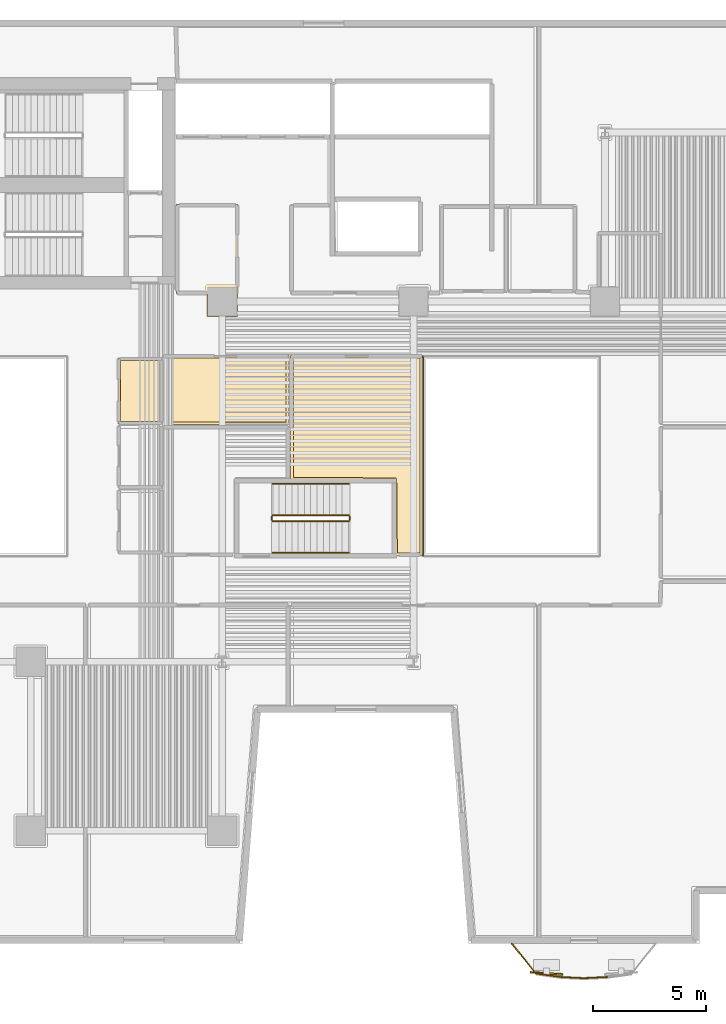
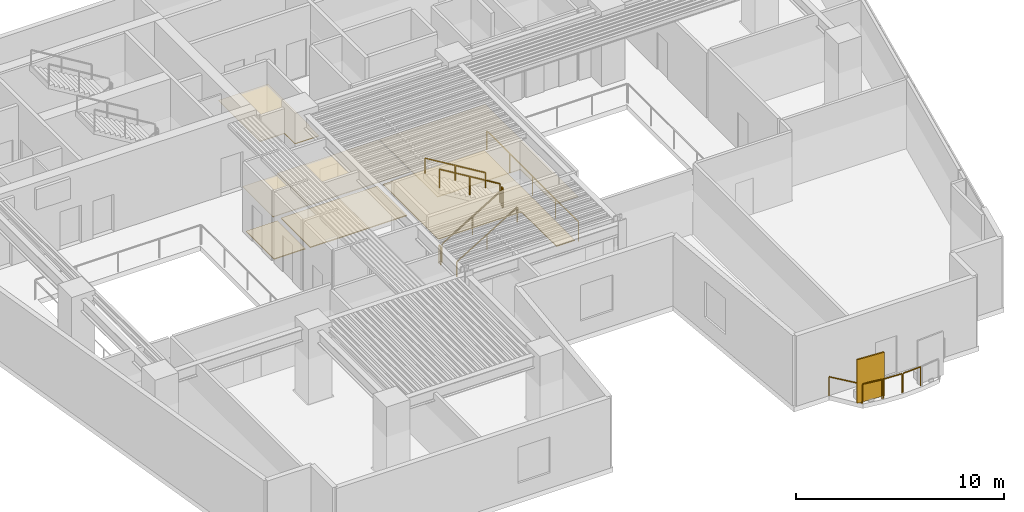
# One storey, part 9 of 12: 11 railings, 7 coverings, 1 shading device.
"""IFC4 building model written with IfcOpenShell, lengths in metres."""

from ifc_helpers import new_model, si_unit, direction, frame, origin, origin_2d, place, context, subcontext, project, spatial, polyline, rectangle, outline, extrude, material, layer, layer_set, type_object, element, save


model = new_model("IFC4")

# Units and contexts
model_context = context("Model", 3, precision=1e-05, world=origin(), true_north=direction((0.0, 1.0)))
body_context = subcontext(model_context, "Body", "Model", "MODEL_VIEW")
ifc_project = project(units=[si_unit("LENGTHUNIT", "METRE"), si_unit("AREAUNIT", "SQUARE_METRE"), si_unit("VOLUMEUNIT", "CUBIC_METRE"), si_unit("PLANEANGLEUNIT", "RADIAN"), si_unit("MASSUNIT", "GRAM", prefix="KILO")], contexts=[model_context])

# Site, building, storey
site_placement = place(None, origin())
site = spatial("IfcSite", under=ifc_project, at=site_placement, CompositionType="ELEMENT")
building_placement = place(site_placement, origin())
building = spatial("IfcBuilding", under=site, at=building_placement, Name="Caeloran Harvest Quay", CompositionType="ELEMENT")
storey_placement = place(building_placement, frame((0.0, 0.0, 84.199951171875)))
storey = spatial("IfcBuildingStorey", under=building, at=storey_placement, Name="L19", CompositionType="ELEMENT", Elevation=84.199951171875)

# Coverings
ifc_material_1 = material(Name="Perforated Mineral-Fibre Acoustic Ceiling Tile", Category="ceiling")
ifc_layer_1 = layer(ifc_material_1, 0.0400390625, Name="Perforated Mineral-Fibre Acoustic Ceiling Tile")
ifc_layer_set_1 = layer_set([ifc_layer_1], Name="Perforated Mineral-Fibre Acoustic Ceiling Tile")
covering_type_1 = type_object("IfcCoveringType", Name="COV-CEILING-ACOUSTIC", PredefinedType="CEILING", material=ifc_layer_set_1)
covering_1_placement = place(storey_placement, frame((0.0, 0.0, 2.60009765625)))
element("IfcCovering", 1, at=covering_1_placement, inside=storey, type_object=covering_type_1, Name="L19 Male Washroom WC Acoustic Ceiling", PredefinedType="CEILING", context=body_context, shape_type="SweptSolid", body=[
    extrude(outline(polyline([(22.840087890625, 25.56005859375), (20.8701171875, 25.56005859375), (20.8701171875, 28.489990234375), (22.840087890625, 28.489990234375), (22.840087890625, 25.56005859375)])), origin(), (0.0, 0.0, 1.0), 0.0400390625),
])
covering_2_placement = place(storey_placement, frame((0.0, 0.0, 2.60009765625)))
element("IfcCovering", 2, at=covering_2_placement, inside=storey, type_object=covering_type_1, Name="Culinary Harvest Tasting Kitchen 8 Acoustic Ceiling", PredefinedType="CEILING", context=body_context, shape_type="SweptSolid", body=[
    extrude(outline(polyline([(28.5400390625, 28.610107421875), (34.409912109375, 28.610107421875), (34.409912109375, 19.7099609375), (33.160400390625, 19.7099609375), (33.13037109375, 23.06005859375), (28.5400390625, 23.06005859375), (28.5400390625, 28.610107421875)])), origin(), (0.0, 0.0, 1.0), 0.0400390625),
])
covering_3_placement = place(storey_placement, frame((0.0, 0.0, 2.60009765625)))
element("IfcCovering", 3, at=covering_3_placement, inside=storey, type_object=covering_type_1, Name="Botanical Workshop Studio 9 Acoustic Ceiling", PredefinedType="CEILING", context=body_context, shape_type="SweptSolid", body=[
    extrude(outline(polyline([(22.8701171875, 28.512939453125), (22.85009765625, 28.52001953125), (22.85009765625, 28.610107421875), (28.4599609375, 28.610107421875), (28.4599609375, 25.5400390625), (22.8701171875, 25.5400390625), (22.8701171875, 28.512939453125)])), origin(), (0.0, 0.0, 1.0), 0.0400390625),
])
covering_4_placement = place(storey_placement, frame((0.0, 0.0, 2.60009765625)))
element("IfcCovering", 4, at=covering_4_placement, inside=storey, type_object=covering_type_1, Name="Sensory Fermentation Kitchen 10 Acoustic Ceiling", PredefinedType="CEILING", context=body_context, shape_type="SweptSolid", body=[
    extrude(outline(polyline([(26.169921875, 30.330078125), (24.830078125, 30.330078125), (24.830078125, 31.340087890625), (23.469970703125, 31.340087890625), (23.469970703125, 35.32861328125), (23.521728515625, 35.31005859375), (26.2099609375, 35.31005859375), (26.2099609375, 31.340087890625), (26.169921875, 31.340087890625), (26.169921875, 30.330078125)])), origin(), (0.0, 0.0, 1.0), 0.0400390625),
])
ifc_material_2 = material(Name="Calcium-Sulphate Raised Access Floor and Terrazzo Finish", Category="flooring")
ifc_layer_2 = layer(ifc_material_2, 0.050048828125, Name="Calcium-Sulphate Raised Access Floor and Terrazzo Finish")
ifc_layer_set_2 = layer_set([ifc_layer_2], Name="Calcium-Sulphate Raised Access Floor and Terrazzo Finish")
covering_type_2 = type_object("IfcCoveringType", Name="COV-FLOOR-RAISED", PredefinedType="FLOORING", material=ifc_layer_set_2)
covering_5_placement = place(storey_placement, origin())
element("IfcCovering", 5, at=covering_5_placement, inside=storey, type_object=covering_type_2, Name="L19 Male Washroom WC Raised Finish Flooring", PredefinedType="FLOORING", context=body_context, shape_type="SweptSolid", body=[
    extrude(outline(polyline([(22.719970703125, 25.679931640625), (20.989990234375, 25.679931640625), (20.989990234375, 28.3701171875), (22.719970703125, 28.3701171875), (22.719970703125, 25.679931640625)])), origin(), (0.0, 0.0, 1.0), 0.050048828125),
])
covering_6_placement = place(storey_placement, origin())
element("IfcCovering", 6, at=covering_6_placement, inside=storey, type_object=covering_type_2, Name="Culinary Harvest Tasting Kitchen 8 Raised Finish Flooring", PredefinedType="FLOORING", context=body_context, shape_type="SweptSolid", body=[
    extrude(outline(polyline([(28.659912109375, 28.489990234375), (34.2900390625, 28.489990234375), (34.2900390625, 19.830078125), (33.279296875, 19.830078125), (33.25, 23.1005859375), (33.20751953125, 23.170654296875), (28.659912109375, 23.179931640625), (28.659912109375, 28.489990234375)])), origin(), (0.0, 0.0, 1.0), 0.050048828125),
])
covering_7_placement = place(storey_placement, origin())
element("IfcCovering", 7, at=covering_7_placement, inside=storey, type_object=covering_type_2, Name="Botanical Workshop Studio 9 Raised Finish Flooring", PredefinedType="FLOORING", context=body_context, shape_type="SweptSolid", body=[
    extrude(outline(polyline([(22.989990234375, 28.489990234375), (28.340087890625, 28.489990234375), (28.340087890625, 25.659912109375), (22.989990234375, 25.659912109375), (22.989990234375, 28.489990234375)])), origin(), (0.0, 0.0, 1.0), 0.050048828125),
])

# Railings
ifc_material_3 = material(Name="Powder-Coated Steel Post and Laminated Glass Guardrail", Category="steel")
ifc_layer_3 = layer(ifc_material_3, 0.06005859375, Name="Powder-Coated Steel Post and Laminated Glass Guardrail")
ifc_layer_set_3 = layer_set([ifc_layer_3], Name="Powder-Coated Steel Post and Laminated Glass Guardrail")
railing_type_1 = type_object("IfcRailingType", Name="GUARD-ATRIUM-1150", PredefinedType="GUARDRAIL", material=ifc_layer_set_3)
railing_1_placement = place(storey_placement, frame((34.429931640625, 28.5380859375, 0.0)))
element("IfcRailing", 8, at=railing_1_placement, inside=storey, type_object=railing_type_1, Name="L19 East Botanical Lightwell Guardrail Seg 4", PredefinedType="GUARDRAIL", context=body_context, shape_type="SweptSolid", body=[
    extrude(rectangle(XDim=0.048095703125, YDim=0.048095703125, at=origin_2d()), frame((0.0, 0.0, 1.1259765625), z_axis=(0.0, -1.0, 0.0), x_axis=(1.0, 0.0, 0.0)), (0.0, 0.0, 1.0), 8.826171875),
    extrude(rectangle(XDim=0.0419921875, YDim=0.0419921875, at=origin_2d()), origin(), (0.0, 0.0, 1.0), 1.101806640625),
    extrude(rectangle(XDim=0.0419921875, YDim=0.0419921875, at=origin_2d()), frame((0.0, -2.20654296875, 0.0)), (0.0, 0.0, 1.0), 1.101806640625),
    extrude(rectangle(XDim=0.0419921875, YDim=0.0419921875, at=origin_2d()), frame((0.0, -4.4130859375, 0.0)), (0.0, 0.0, 1.0), 1.101806640625),
    extrude(rectangle(XDim=0.0419921875, YDim=0.0419921875, at=origin_2d()), frame((0.0, -6.61962890625, 0.0)), (0.0, 0.0, 1.0), 1.101806640625),
    extrude(rectangle(XDim=0.0419921875, YDim=0.0419921875, at=origin_2d()), frame((0.0, -8.826171875, 0.0)), (0.0, 0.0, 1.0), 1.101806640625),
])
ifc_material_4 = material(Name="Laminated Safety Glass and Stainless Steel 316", Category="steel")
ifc_layer_4 = layer(ifc_material_4, 0.06005859375, Name="Laminated Safety Glass and Stainless Steel 316")
ifc_layer_set_4 = layer_set([ifc_layer_4], Name="Laminated Safety Glass and Stainless Steel 316")
railing_type_2 = type_object("IfcRailingType", Name="GUARD-BALUSTRADE-1150", PredefinedType="BALUSTRADE", material=ifc_layer_set_4)
railing_2_placement = place(storey_placement, frame((42.5908203125, 1.00537109375, 0.0)))
element("IfcRailing", 9, at=railing_2_placement, inside=storey, type_object=railing_type_2, Name="L19 Planted Balcony Perimeter Balustrade Guard Seg 3", PredefinedType="BALUSTRADE", context=body_context, shape_type="SweptSolid", body=[
    extrude(rectangle(XDim=0.048095703125, YDim=0.048095703125, at=origin_2d()), frame((0.0, 0.0, 1.1259765625), z_axis=(-0.998613112064, -0.052648384722, 0.0), x_axis=(0.052648384722, -0.998613112064, 0.0)), (0.0, 0.0, 1.0), 1.001708984375),
    extrude(rectangle(XDim=0.0419921875, YDim=0.0419921875, at=origin_2d()), origin(), (0.0, 0.0, 1.0), 1.101806640625),
    extrude(rectangle(XDim=0.0419921875, YDim=0.0419921875, at=origin_2d()), frame((-1.000244140625, -0.052734375, 0.0)), (0.0, 0.0, 1.0), 1.101806640625),
])
railing_3_placement = place(storey_placement, frame((41.526611328125, 0.95263671875, 0.0)))
element("IfcRailing", 10, at=railing_3_placement, inside=storey, type_object=railing_type_2, Name="L19 Planted Balcony Perimeter Balustrade Guard Seg 4", PredefinedType="BALUSTRADE", context=body_context, shape_type="SweptSolid", body=[
    extrude(rectangle(XDim=0.048095703125, YDim=0.048095703125, at=origin_2d()), frame((0.0, 0.0, 1.1259765625), z_axis=(-0.998613112064, 0.052648384722, 0.0), x_axis=(-0.052648384722, -0.998613112064, 0.0)), (0.0, 0.0, 1.0), 1.001708984375),
    extrude(rectangle(XDim=0.0419921875, YDim=0.0419921875, at=origin_2d()), origin(), (0.0, 0.0, 1.0), 1.101806640625),
    extrude(rectangle(XDim=0.0419921875, YDim=0.0419921875, at=origin_2d()), frame((-1.000244140625, 0.052734375, 0.0)), (0.0, 0.0, 1.0), 1.101806640625),
])
railing_4_placement = place(storey_placement, frame((40.462646484375, 1.01171875, 0.0)))
element("IfcRailing", 11, at=railing_4_placement, inside=storey, type_object=railing_type_2, Name="L19 Planted Balcony Perimeter Balustrade Guard Seg 5", PredefinedType="BALUSTRADE", context=body_context, shape_type="SweptSolid", body=[
    extrude(rectangle(XDim=0.048095703125, YDim=0.048095703125, at=origin_2d()), frame((0.0, 0.0, 1.1259765625), z_axis=(-0.989765146773, 0.142705831116, 0.0), x_axis=(-0.142705831116, -0.989765146773, 0.0)), (0.0, 0.0, 1.0), 1.010986328125),
    extrude(rectangle(XDim=0.0419921875, YDim=0.0419921875, at=origin_2d()), origin(), (0.0, 0.0, 1.0), 1.101806640625),
    extrude(rectangle(XDim=0.0419921875, YDim=0.0419921875, at=origin_2d()), frame((-1.000732421875, 0.144287109375, 0.0)), (0.0, 0.0, 1.0), 1.101806640625),
])
railing_5_placement = place(storey_placement, frame((39.41015625, 1.185302734375, 0.0)))
element("IfcRailing", 12, at=railing_5_placement, inside=storey, type_object=railing_type_2, Name="L19 Planted Balcony Perimeter Balustrade Guard Seg 6", PredefinedType="BALUSTRADE", context=body_context, shape_type="SweptSolid", body=[
    extrude(rectangle(XDim=0.048095703125, YDim=0.048095703125, at=origin_2d()), frame((0.0, 0.0, 1.1259765625), z_axis=(-0.627786878651, 0.778385274137, 0.0), x_axis=(-0.778385274137, -0.627786878651, 0.0)), (0.0, 0.0, 1.0), 1.663330078125),
    extrude(rectangle(XDim=0.0419921875, YDim=0.0419921875, at=origin_2d()), origin(), (0.0, 0.0, 1.0), 1.101806640625),
    extrude(rectangle(XDim=0.0419921875, YDim=0.0419921875, at=origin_2d()), frame((-1.044189453125, 1.294677734375, 0.0)), (0.0, 0.0, 1.0), 1.101806640625),
])

# Shading device
ifc_material_5 = material(Name="3003-H14 Perforated Powder-Coated Aluminium", Category="aluminium")
shading_device_type = type_object("IfcShadingDeviceType", Name="SHADE-SCREEN-FOLDED", PredefinedType="USERDEFINED", material=ifc_material_5)
shading_device_placement = place(storey_placement, frame((39.8984375, 1.164794921875, 0.0751953125), z_axis=(0.0, 0.0, 1.0), x_axis=(0.997801468292, -0.0662739004, 0.0)))
element("IfcShadingDevice", 13, at=shading_device_placement, inside=storey, type_object=shading_device_type, Name="L19 Folded Facade Breathing Screen 2", ObjectType="SCREEN", PredefinedType="USERDEFINED", context=body_context, shape_type="SweptSolid", body=[
    extrude(rectangle(XDim=1.449951171875, YDim=0.080078125, at=origin_2d()), origin(), (0.0, 0.0, 1.0), 2.550048828125),
])

# Railings
ifc_material_6 = material(Name="Painted Steel Baluster and Top-Rail Stair Guard", Category="steel")
ifc_layer_5 = layer(ifc_material_6, 0.050048828125, Name="Painted Steel Baluster and Top-Rail Stair Guard")
ifc_layer_set_5 = layer_set([ifc_layer_5], Name="Painted Steel Baluster and Top-Rail Stair Guard")
railing_type_3 = type_object("IfcRailingType", Name="STAIR-GUARD-1100", PredefinedType="GUARDRAIL", material=ifc_layer_set_5)
railing_6_placement = place(storey_placement, frame((27.75, 21.25, 0.169189453125)))
element("IfcRailing", 14, at=railing_6_placement, inside=storey, type_object=railing_type_3, Name="L19 ST-W1 stair guard 1", PredefinedType="GUARDRAIL", context=body_context, shape_type="SweptSolid", body=[
    extrude(rectangle(XDim=0.048095703125, YDim=0.048095703125, at=origin_2d()), frame((0.0, 0.0, 1.076171875), z_axis=(0.855836976705, 0.0, 0.517245656632), x_axis=(0.0, 1.0, 0.0)), (0.0, 0.0, 1.0), 3.926025390625),
    extrude(rectangle(XDim=0.0419921875, YDim=0.0419921875, at=origin_2d()), origin(), (0.0, 0.0, 1.0), 1.052001953125),
    extrude(rectangle(XDim=0.0419921875, YDim=0.0419921875, at=origin_2d()), frame((1.68017578125, 0.0, 1.015380859375)), (0.0, 0.0, 1.0), 1.052001953125),
    extrude(rectangle(XDim=0.0419921875, YDim=0.0419921875, at=origin_2d()), frame((3.360107421875, 0.0, 2.03076171875)), (0.0, 0.0, 1.0), 1.052001953125),
])
railing_7_placement = place(storey_placement, frame((31.159912109375, 21.300048828125, 2.199951171875)))
element("IfcRailing", 15, at=railing_7_placement, inside=storey, type_object=railing_type_3, Name="L19 ST-W1 stair guard 2", PredefinedType="GUARDRAIL", context=body_context, shape_type="SweptSolid", body=[
    extrude(rectangle(XDim=0.048095703125, YDim=0.048095703125, at=origin_2d()), frame((0.0, 0.0, 1.076171875), z_axis=(0.0, 1.0, 0.0), x_axis=(-1.0, 0.0, 0.0)), (0.0, 0.0, 1.0), 0.14990234375),
    extrude(rectangle(XDim=0.0419921875, YDim=0.0419921875, at=origin_2d()), origin(), (0.0, 0.0, 1.0), 1.052001953125),
    extrude(rectangle(XDim=0.0419921875, YDim=0.0419921875, at=origin_2d()), frame((0.0, 0.14990234375, 0.0)), (0.0, 0.0, 1.0), 1.052001953125),
])
railing_8_placement = place(storey_placement, frame((31.110107421875, 21.5, 2.369384765625)))
element("IfcRailing", 16, at=railing_8_placement, inside=storey, type_object=railing_type_3, Name="L19 ST-W1 stair guard 3", PredefinedType="GUARDRAIL", context=body_context, shape_type="SweptSolid", body=[
    extrude(rectangle(XDim=0.048095703125, YDim=0.048095703125, at=origin_2d()), frame((0.0, 0.0, 1.076171875), z_axis=(-0.855836976705, 0.0, 0.517245656632), x_axis=(0.0, -1.0, 0.0)), (0.0, 0.0, 1.0), 3.926025390625),
    extrude(rectangle(XDim=0.0419921875, YDim=0.0419921875, at=origin_2d()), origin(), (0.0, 0.0, 1.0), 1.052001953125),
    extrude(rectangle(XDim=0.0419921875, YDim=0.0419921875, at=origin_2d()), frame((-1.68017578125, 0.0, 1.015380859375)), (0.0, 0.0, 1.0), 1.052001953125),
    extrude(rectangle(XDim=0.0419921875, YDim=0.0419921875, at=origin_2d()), frame((-3.360107421875, 0.0, 2.03076171875)), (0.0, 0.0, 1.0), 1.052001953125),
])
railing_9_placement = place(storey_placement, frame((27.699951171875, 21.300048828125, 0.0)))
element("IfcRailing", 17, at=railing_9_placement, inside=storey, type_object=railing_type_3, Name="L19 ST-W1 stair guard 4", PredefinedType="GUARDRAIL", context=body_context, shape_type="SweptSolid", body=[
    extrude(rectangle(XDim=0.048095703125, YDim=0.048095703125, at=origin_2d()), frame((0.0, 0.0, 1.076171875), z_axis=(0.0, 1.0, 0.0), x_axis=(-1.0, 0.0, 0.0)), (0.0, 0.0, 1.0), 0.14990234375),
    extrude(rectangle(XDim=0.0419921875, YDim=0.0419921875, at=origin_2d()), origin(), (0.0, 0.0, 1.0), 1.052001953125),
    extrude(rectangle(XDim=0.0419921875, YDim=0.0419921875, at=origin_2d()), frame((0.0, 0.14990234375, 0.0)), (0.0, 0.0, 1.0), 1.052001953125),
])
ifc_material_7 = material(Name="Brushed Stainless Steel Grade 304", Category="steel")
ifc_layer_6 = layer(ifc_material_7, 0.050048828125, Name="Brushed Stainless Steel Grade 304")
ifc_layer_set_6 = layer_set([ifc_layer_6], Name="Brushed Stainless Steel Grade 304")
railing_type_4 = type_object("IfcRailingType", Name="STAIR-HANDRAIL-900", PredefinedType="HANDRAIL", material=ifc_layer_set_6)
railing_10_placement = place(storey_placement, frame((27.75, 19.85009765625, 0.169189453125)))
element("IfcRailing", 18, at=railing_10_placement, inside=storey, type_object=railing_type_4, Name="L19 ST-W1 stair handrail 1", PredefinedType="HANDRAIL", context=body_context, shape_type="SweptSolid", body=[
    extrude(rectangle(XDim=0.048095703125, YDim=0.048095703125, at=origin_2d()), frame((0.0, 0.0, 0.8759765625), z_axis=(0.855836976705, 0.0, 0.517245656632), x_axis=(0.0, 1.0, 0.0)), (0.0, 0.0, 1.0), 3.926025390625),
    extrude(rectangle(XDim=0.0419921875, YDim=0.0419921875, at=origin_2d()), origin(), (0.0, 0.0, 1.0), 0.851806640625),
    extrude(rectangle(XDim=0.0419921875, YDim=0.0419921875, at=origin_2d()), frame((1.68017578125, 0.0, 1.015380859375)), (0.0, 0.0, 1.0), 0.851806640625),
    extrude(rectangle(XDim=0.0419921875, YDim=0.0419921875, at=origin_2d()), frame((3.360107421875, 0.0, 2.03076171875)), (0.0, 0.0, 1.0), 0.851806640625),
])
railing_11_placement = place(storey_placement, frame((31.110107421875, 22.89990234375, 2.369384765625)))
element("IfcRailing", 19, at=railing_11_placement, inside=storey, type_object=railing_type_4, Name="L19 ST-W1 stair handrail 2", PredefinedType="HANDRAIL", context=body_context, shape_type="SweptSolid", body=[
    extrude(rectangle(XDim=0.048095703125, YDim=0.048095703125, at=origin_2d()), frame((0.0, 0.0, 0.8759765625), z_axis=(-0.855836976705, 0.0, 0.517245656632), x_axis=(0.0, -1.0, 0.0)), (0.0, 0.0, 1.0), 3.926025390625),
    extrude(rectangle(XDim=0.0419921875, YDim=0.0419921875, at=origin_2d()), origin(), (0.0, 0.0, 1.0), 0.851806640625),
    extrude(rectangle(XDim=0.0419921875, YDim=0.0419921875, at=origin_2d()), frame((-1.68017578125, 0.0, 1.015380859375)), (0.0, 0.0, 1.0), 0.851806640625),
    extrude(rectangle(XDim=0.0419921875, YDim=0.0419921875, at=origin_2d()), frame((-3.360107421875, 0.0, 2.03076171875)), (0.0, 0.0, 1.0), 0.851806640625),
])

save(model, "model.ifc")
